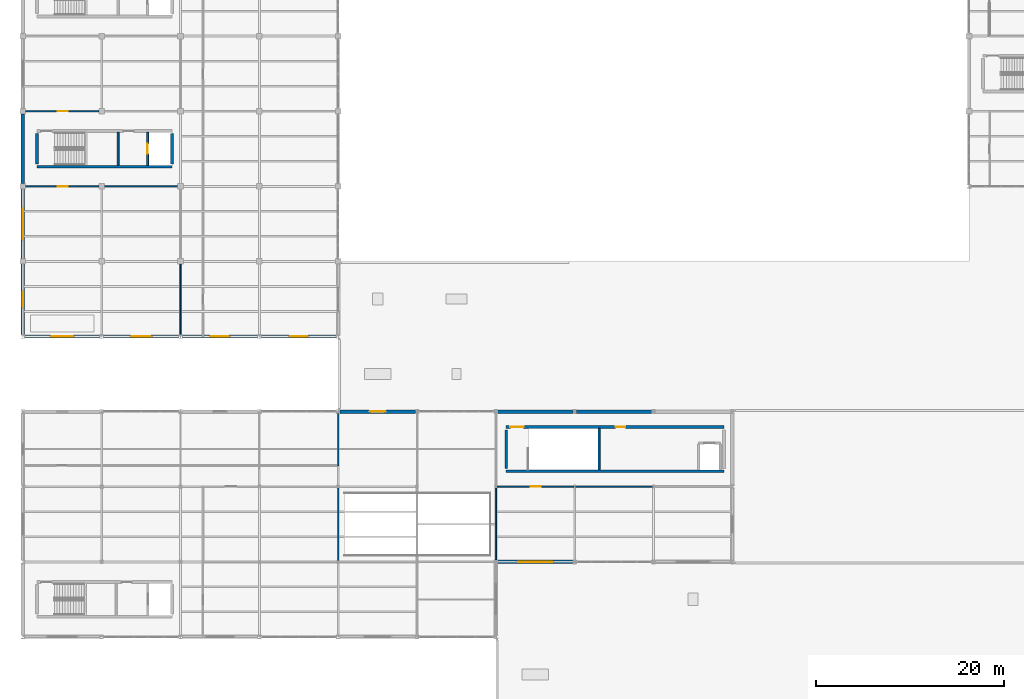
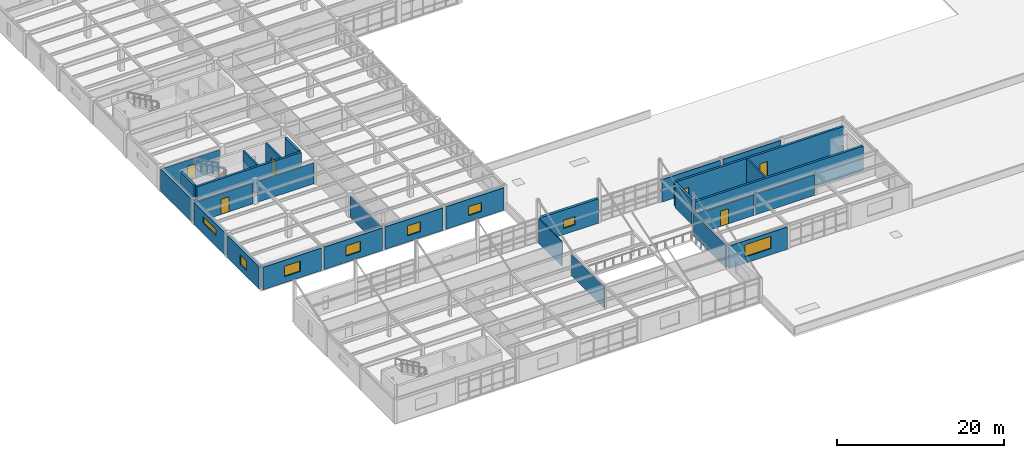
# One storey, part 46 of 96: 29 walls, 8 windows, 6 doors, 14 openings.
"""IFC4 building model written with IfcOpenShell, lengths in metres."""

from ifc_helpers import new_model, si_unit, direction, frame, frame_2d, origin, place, context, subcontext, project, spatial, rectangle, extrude, material, layer, layer_set, type_object, element, fill, save


model = new_model("IFC4")

# Units and contexts
model_context = context("Model", 3, precision=1e-05, world=origin(), true_north=direction((0.0, 1.0)))
body_context = subcontext(model_context, "Body", "Model", "MODEL_VIEW")
ifc_project = project(units=[si_unit("LENGTHUNIT", "METRE"), si_unit("AREAUNIT", "SQUARE_METRE"), si_unit("VOLUMEUNIT", "CUBIC_METRE"), si_unit("PLANEANGLEUNIT", "RADIAN"), si_unit("MASSUNIT", "GRAM", prefix="KILO")], contexts=[model_context])

# Site, building, storey
site_placement = place(None, origin())
site = spatial("IfcSite", under=ifc_project, at=site_placement, CompositionType="ELEMENT")
building_placement = place(site_placement, origin())
building = spatial("IfcBuilding", under=site, at=building_placement, Name="Kranzveld Transit Interchange", CompositionType="ELEMENT")
storey_placement = place(building_placement, frame((0.0, 0.0, 9.52001953125)))
storey = spatial("IfcBuildingStorey", under=building, at=storey_placement, Name="L02", CompositionType="ELEMENT", Elevation=9.52001953125)

# Wall, opening, door
ifc_material_1 = material(Name="Clay masonry unit wall, 20 MPa", Category="masonry")
ifc_layer_1 = layer(ifc_material_1, 0.139892578125)
ifc_layer_set_1 = layer_set([ifc_layer_1], Name="Clay masonry unit wall, 20 MPa")
wall_type_1 = type_object("IfcWallType", Name="Acoustic Stud Partition 140", PredefinedType="PARTITIONING", material=ifc_layer_set_1)
wall_1_placement = place(storey_placement, frame((50.519287109375, 32.0, 0.0), z_axis=(0.0, 0.0, 1.0), x_axis=(1.0, 0.0, 0.0)))
wall_1 = element("IfcWall", 1, at=wall_1_placement, inside=storey, type_object=wall_type_1, Name="L02 Partition IW-L02-L02BUSPAV-FRT-224-0", PredefinedType="PARTITIONING", context=body_context, shape_type="SweptSolid", body=[
    extrude(rectangle(XDim=8.161376953125, YDim=0.139892578125, at=frame_2d((4.08056640625, 0.0))), origin(), (0.0, 0.0, 1.0), 3.036865234375),
])
opening_1_placement = place(wall_1_placement, frame((4.6806640625, 0.0, 0.0), z_axis=(0.0, 0.0, 1.0), x_axis=(-1.0, 0.0, 0.0)))
opening_1 = element("IfcOpeningElement", 2, at=opening_1_placement, cuts=wall_1, Name="Opening D-224", PredefinedType="OPENING", context=body_context, shape_type="SweptSolid", body=[
    extrude(rectangle(XDim=1.10009765625, YDim=2.199951171875, at=frame_2d((0.550048828125, 1.10009765625))), frame((0.0, 0.079833984375, 0.0), z_axis=(0.0, -1.0, 0.0), x_axis=(1.0, 0.0, 0.0)), (0.0, 0.0, 1.0), 0.159912109375),
])
ifc_material_2 = material(Name="Bronze-anodised thermally broken aluminium", Category="aluminium")
door_type_1 = type_object("IfcDoorType", Name="Acoustic Seminar Door 1100x2200", OperationType="NOTDEFINED", PredefinedType="DOOR", material=ifc_material_2)
door_1_placement = place(opening_1_placement, origin())
door_1 = element("IfcDoor", 3, at=door_1_placement, inside=storey, type_object=door_type_1, Name="L02 Interior Door D-224", OperationType="SINGLE_SWING_LEFT", OverallHeight=2.199951171875, OverallWidth=1.10009765625, PredefinedType="DOOR", context=body_context, shape_type="SweptSolid", body=[
    extrude(rectangle(XDim=1.10009765625, YDim=2.199951171875, at=frame_2d((0.550048828125, 1.10009765625))), frame((0.0, 0.02490234375, 0.0), z_axis=(0.0, -1.0, 0.0), x_axis=(1.0, 0.0, 0.0)), (0.0, 0.0, 1.0), 0.050048828125),
])
fill(opening_1, door_1)

wall_2_placement = place(storey_placement, frame((0.2900390625, 64.0, 0.0), z_axis=(0.0, 0.0, 1.0), x_axis=(1.0, 0.0, 0.0)))
wall_2 = element("IfcWall", 4, at=wall_2_placement, inside=storey, type_object=wall_type_1, Name="L02 Partition IW-L02-L02V5S-FRT-213-0", PredefinedType="PARTITIONING", context=body_context, shape_type="SweptSolid", body=[
    extrude(rectangle(XDim=7.820068359375, YDim=0.139892578125, at=frame_2d((3.91015625, 0.0))), origin(), (0.0, 0.0, 1.0), 3.036865234375),
])
opening_2_placement = place(wall_2_placement, frame((4.510009765625, 0.0, 0.0), z_axis=(0.0, 0.0, 1.0), x_axis=(-1.0, 0.0, 0.0)))
opening_2 = element("IfcOpeningElement", 5, at=opening_2_placement, cuts=wall_2, Name="Opening D-213", PredefinedType="OPENING", context=body_context, shape_type="SweptSolid", body=[
    extrude(rectangle(XDim=1.10009765625, YDim=2.199951171875, at=frame_2d((0.550048828125, 1.10009765625))), frame((0.0, 0.079833984375, 0.0), z_axis=(0.0, -1.0, 0.0), x_axis=(1.0, 0.0, 0.0)), (0.0, 0.0, 1.0), 0.159912109375),
])
door_2_placement = place(opening_2_placement, origin())
door_2 = element("IfcDoor", 6, at=door_2_placement, inside=storey, type_object=door_type_1, Name="L02 Interior Door D-213", OperationType="SINGLE_SWING_LEFT", OverallHeight=2.199951171875, OverallWidth=1.10009765625, PredefinedType="DOOR", context=body_context, shape_type="SweptSolid", body=[
    extrude(rectangle(XDim=1.10009765625, YDim=2.199951171875, at=frame_2d((0.550048828125, 1.10009765625))), frame((0.0, 0.02490234375, 0.0), z_axis=(0.0, -1.0, 0.0), x_axis=(1.0, 0.0, 0.0)), (0.0, 0.0, 1.0), 0.050048828125),
])
fill(opening_2, door_2)

wall_3_placement = place(storey_placement, frame((0.2900390625, 72.0, 0.0), z_axis=(0.0, 0.0, 1.0), x_axis=(1.0, 0.0, 0.0)))
wall_3 = element("IfcWall", 7, at=wall_3_placement, inside=storey, type_object=wall_type_1, Name="L02 Partition IW-L02-L02V5M-FRT-226-0", PredefinedType="PARTITIONING", context=body_context, shape_type="SweptSolid", body=[
    extrude(rectangle(XDim=7.820068359375, YDim=0.139892578125, at=frame_2d((3.91015625, 0.0))), origin(), (0.0, 0.0, 1.0), 3.036865234375),
])
opening_3_placement = place(wall_3_placement, frame((3.409912109375, 0.0, 0.0), z_axis=(0.0, 0.0, 1.0), x_axis=(1.0, 0.0, 0.0)))
opening_3 = element("IfcOpeningElement", 8, at=opening_3_placement, cuts=wall_3, Name="Opening D-226", PredefinedType="OPENING", context=body_context, shape_type="SweptSolid", body=[
    extrude(rectangle(XDim=1.10009765625, YDim=2.199951171875, at=frame_2d((0.550048828125, 1.10009765625))), frame((0.0, 0.079833984375, 0.0), z_axis=(0.0, -1.0, 0.0), x_axis=(1.0, 0.0, 0.0)), (0.0, 0.0, 1.0), 0.159912109375),
])
door_3_placement = place(opening_3_placement, origin())
door_3 = element("IfcDoor", 9, at=door_3_placement, inside=storey, type_object=door_type_1, Name="L02 Interior Door D-226", OperationType="SINGLE_SWING_LEFT", OverallHeight=2.199951171875, OverallWidth=1.10009765625, PredefinedType="DOOR", context=body_context, shape_type="SweptSolid", body=[
    extrude(rectangle(XDim=1.10009765625, YDim=2.199951171875, at=frame_2d((0.550048828125, 1.10009765625))), frame((0.0, 0.02490234375, 0.0), z_axis=(0.0, -1.0, 0.0), x_axis=(1.0, 0.0, 0.0)), (0.0, 0.0, 1.0), 0.050048828125),
])
fill(opening_3, door_3)

# Walls
wall_4_placement = place(storey_placement, frame((58.91943359375, 32.0, 0.0), z_axis=(0.0, 0.0, 1.0), x_axis=(1.0, 0.0, 0.0)))
element("IfcWall", 10, at=wall_4_placement, inside=storey, type_object=wall_type_1, Name="L02 Partition IW-L02-L02BUSPAV-FRT-224-1", PredefinedType="PARTITIONING", context=body_context, shape_type="SweptSolid", body=[
    extrude(rectangle(XDim=8.1611328125, YDim=0.139892578125, at=frame_2d((4.08056640625, 0.0))), origin(), (0.0, 0.0, 1.0), 3.036865234375),
])
wall_5_placement = place(storey_placement, frame((50.39990234375, 24.17724609375, 0.0), z_axis=(0.0, 0.0, 1.0), x_axis=(0.0, 1.0, 0.0)))
element("IfcWall", 11, at=wall_5_placement, inside=storey, type_object=wall_type_1, Name="L02 Partition IW-L02-L02BUSPAV-W-224-0", PredefinedType="PARTITIONING", context=body_context, shape_type="SweptSolid", body=[
    extrude(rectangle(XDim=7.699462890625, YDim=0.139892578125, at=frame_2d((3.849609375, 0.0))), origin(), (0.0, 0.0, 1.0), 3.27001953125),
])
wall_6_placement = place(storey_placement, frame((33.60009765625, 24.123291015625, 0.0), z_axis=(0.0, 0.0, 1.0), x_axis=(0.0, 1.0, 0.0)))
element("IfcWall", 12, at=wall_6_placement, inside=storey, type_object=wall_type_1, Name="L02 Partition IW-L02-L02V3M-E-202-0", PredefinedType="PARTITIONING", context=body_context, shape_type="SweptSolid", body=[
    extrude(rectangle(XDim=7.75341796875, YDim=0.139892578125, at=frame_2d((3.876708984375, 0.0))), origin(), (0.0, 0.0, 1.0), 3.106689453125),
])
wall_7_placement = place(storey_placement, frame((8.68994140625, 64.0, 0.0), z_axis=(0.0, 0.0, 1.0), x_axis=(1.0, 0.0, 0.0)))
element("IfcWall", 13, at=wall_7_placement, inside=storey, type_object=wall_type_1, Name="L02 Partition IW-L02-L02V5S-FRT-213-1", PredefinedType="PARTITIONING", context=body_context, shape_type="SweptSolid", body=[
    extrude(rectangle(XDim=7.820068359375, YDim=0.139892578125, at=frame_2d((3.91015625, 0.0))), origin(), (0.0, 0.0, 1.0), 3.036865234375),
])
wall_8_placement = place(storey_placement, frame((16.800048828125, 48.17724609375, 0.0), z_axis=(0.0, 0.0, 1.0), x_axis=(0.0, 1.0, 0.0)))
element("IfcWall", 14, at=wall_8_placement, inside=storey, type_object=wall_type_1, Name="L02 Partition IW-L02-L02V5S-E-213-0", PredefinedType="PARTITIONING", context=body_context, shape_type="SweptSolid", body=[
    extrude(rectangle(XDim=7.53271484375, YDim=0.139892578125, at=frame_2d((3.766357421875, 0.0))), origin(), (0.0, 0.0, 1.0), 3.106689453125),
])
ifc_material_3 = material(Name="Concrete C40/50", Category="concrete")
ifc_layer_2 = layer(ifc_material_3, 0.300048828125)
ifc_layer_set_2 = layer_set([ifc_layer_2], Name="Concrete C40/50")
wall_type_2 = type_object("IfcWallType", Name="Core Shear Wall RC 300 C40/50", PredefinedType="SHEAR", material=ifc_layer_set_2)
wall_9_placement = place(storey_placement, frame((1.5, 66.090087890625, 0.0), z_axis=(0.0, 0.0, 1.0), x_axis=(1.0, 0.0, 0.0)))
element("IfcWall", 15, at=wall_9_placement, inside=storey, type_object=wall_type_2, Name="L02 Operations Core C1 Shear Wall S", PredefinedType="SHEAR", context=body_context, shape_type="SweptSolid", body=[
    extrude(rectangle(XDim=14.39990234375, YDim=0.300048828125, at=frame_2d((7.199951171875, 0.0))), origin(), (0.0, 0.0, 1.0), 3.570068359375),
])
for number, where, z_axis, x_axis, name in (
    (16, (1.5, 66.389892578125, 0.0), (0.0, 0.0, 1.0), (0.0, 1.0, 0.0), "L02 Operations Core C1 Shear Wall W"),
    (17, (15.89990234375, 66.389892578125, 0.0), (0.0, 0.0, 1.0), (0.0, 1.0, 0.0), "L02 Operations Core C1 Shear Wall E"),
):
    element("IfcWall", number, at=place(storey_placement, frame(where, z_axis=z_axis, x_axis=x_axis)), inside=storey, type_object=wall_type_2, Name=name, PredefinedType="SHEAR", context=body_context, shape_type="SweptSolid", body=[
        extrude(rectangle(XDim=3.22021484375, YDim=0.300048828125, at=frame_2d((1.610107421875, 0.0))), origin(), (0.0, 0.0, 1.0), 3.570068359375),
    ])
wall_10_placement = place(storey_placement, frame((51.5, 33.639892578125, 0.0), z_axis=(0.0, 0.0, 1.0), x_axis=(1.0, 0.0, 0.0)))
element("IfcWall", 18, at=wall_10_placement, inside=storey, type_object=wall_type_2, Name="L02 Metro East & Bus Mezzanine Core C6 Shear Wall S", PredefinedType="SHEAR", context=body_context, shape_type="SweptSolid", body=[
    extrude(rectangle(XDim=23.199951171875, YDim=0.300048828125, at=frame_2d((11.60009765625, 0.0))), origin(), (0.0, 0.0, 1.0), 3.570068359375),
])

# Wall, openings, doors
wall_11_placement = place(storey_placement, frame((51.5, 38.360107421875, 0.0), z_axis=(0.0, 0.0, 1.0), x_axis=(1.0, 0.0, 0.0)))
wall_11 = element("IfcWall", 19, at=wall_11_placement, inside=storey, type_object=wall_type_2, Name="L02 Metro East & Bus Mezzanine Core C6 Shear Wall N", PredefinedType="SHEAR", context=body_context, shape_type="SweptSolid", body=[
    extrude(rectangle(XDim=23.199951171875, YDim=0.300048828125, at=frame_2d((11.60009765625, 0.0))), origin(), (0.0, 0.0, 1.0), 3.570068359375),
])
opening_4_placement = place(wall_11_placement, frame((0.449951171875, 0.0, 0.0), z_axis=(0.0, 0.0, 1.0), x_axis=(1.0, 0.0, 0.0)))
opening_4 = element("IfcOpeningElement", 20, at=opening_4_placement, cuts=wall_11, Name="Opening D-ST-C6-L02", PredefinedType="OPENING", context=body_context, shape_type="SweptSolid", body=[
    extrude(rectangle(XDim=1.39990234375, YDim=2.14990234375, at=frame_2d((0.699951171875, 1.074951171875))), frame((0.0, 0.159912109375, 0.0), z_axis=(0.0, -1.0, 0.0), x_axis=(1.0, 0.0, 0.0)), (0.0, 0.0, 1.0), 0.320068359375),
])
opening_5_placement = place(wall_11_placement, frame((11.64990234375, 0.0, 0.0), z_axis=(0.0, 0.0, 1.0), x_axis=(1.0, 0.0, 0.0)))
opening_5 = element("IfcOpeningElement", 21, at=opening_5_placement, cuts=wall_11, Name="Opening D-LB-C6-L02", PredefinedType="OPENING", context=body_context, shape_type="SweptSolid", body=[
    extrude(rectangle(XDim=1.050048828125, YDim=2.14990234375, at=frame_2d((0.52490234375, 1.074951171875))), frame((0.0, 0.159912109375, 0.0), z_axis=(0.0, -1.0, 0.0), x_axis=(1.0, 0.0, 0.0)), (0.0, 0.0, 1.0), 0.320068359375),
])
ifc_material_4 = material(Name="Steel S355JR", Category="steel")
door_type_2 = type_object("IfcDoorType", Name="Lift Lobby Fire Door 1050x2150 FD120S", OperationType="NOTDEFINED", PredefinedType="DOOR", material=ifc_material_4)
door_4_placement = place(opening_5_placement, origin())
door_4 = element("IfcDoor", 22, at=door_4_placement, inside=storey, type_object=door_type_2, Name="L02 Metro East & Bus Mezzanine Core C6 Lift Protected Lobby Door", OperationType="SINGLE_SWING_RIGHT", OverallHeight=2.14990234375, OverallWidth=1.050048828125, PredefinedType="DOOR", context=body_context, shape_type="SweptSolid", body=[
    extrude(rectangle(XDim=1.050048828125, YDim=2.14990234375, at=frame_2d((0.52490234375, 1.074951171875))), frame((0.0, 0.02490234375, 0.0), z_axis=(0.0, -1.0, 0.0), x_axis=(1.0, 0.0, 0.0)), (0.0, 0.0, 1.0), 0.050048828125),
])
fill(opening_5, door_4)
ifc_material_5 = material(Name="Steel S355JR", Category="steel")
door_type_3 = type_object("IfcDoorType", Name="Metro Stair Double Fire Door 1400x2150 FD120S", OperationType="NOTDEFINED", PredefinedType="DOOR", material=ifc_material_5)
door_5_placement = place(opening_4_placement, origin())
door_5 = element("IfcDoor", 23, at=door_5_placement, inside=storey, type_object=door_type_3, Name="L02 ST-M2 Protected Stair Door", OperationType="DOUBLE_DOOR_SINGLE_SWING", OverallHeight=2.14990234375, OverallWidth=1.39990234375, PredefinedType="DOOR", context=body_context, shape_type="SweptSolid", body=[
    extrude(rectangle(XDim=1.39990234375, YDim=2.14990234375, at=frame_2d((0.699951171875, 1.074951171875))), frame((0.0, 0.02490234375, 0.0), z_axis=(0.0, -1.0, 0.0), x_axis=(1.0, 0.0, 0.0)), (0.0, 0.0, 1.0), 0.050048828125),
])
fill(opening_4, door_5)

# Wall
wall_12_placement = place(storey_placement, frame((51.5, 33.93994140625, 0.0), z_axis=(0.0, 0.0, 1.0), x_axis=(0.0, 1.0, 0.0)))
element("IfcWall", 24, at=wall_12_placement, inside=storey, type_object=wall_type_2, Name="L02 Metro East & Bus Mezzanine Core C6 Shear Wall W", PredefinedType="SHEAR", context=body_context, shape_type="SweptSolid", body=[
    extrude(rectangle(XDim=4.1201171875, YDim=0.300048828125, at=frame_2d((2.06005859375, 0.0))), origin(), (0.0, 0.0, 1.0), 3.570068359375),
])

# Wall, opening, window
ifc_material_6 = material(Name="Pretoria red-purple clinker clay face brick, 35 MPa", Category="masonry")
ifc_layer_3 = layer(ifc_material_6, 0.360107421875)
ifc_layer_set_3 = layer_set([ifc_layer_3], Name="Pretoria red-purple clinker clay face brick, 35 MPa")
wall_type_3 = type_object("IfcWallType", Name="Exterior Cavity Wall Red Clinker 360", PredefinedType="SOLIDWALL", material=ifc_layer_set_3)
wall_13_placement = place(storey_placement, frame((33.787353515625, 40.0, 0.0), z_axis=(0.0, 0.0, 1.0), x_axis=(1.0, 0.0, 0.0)))
wall_13 = element("IfcWall", 25, at=wall_13_placement, inside=storey, type_object=wall_type_3, Name="L02 Clinker Facade Wall 05/F-06/F", PredefinedType="SOLIDWALL", context=body_context, shape_type="SweptSolid", body=[
    extrude(rectangle(XDim=8.025390625, YDim=0.360107421875, at=frame_2d((4.0126953125, 0.0))), origin(), (0.0, 0.0, 1.0), 3.570068359375),
])
opening_6_placement = place(wall_13_placement, frame((3.212646484375, 0.0, 0.89990234375), z_axis=(0.0, 0.0, 1.0), x_axis=(1.0, 0.0, 0.0)))
opening_6 = element("IfcOpeningElement", 26, at=opening_6_placement, cuts=wall_13, Name="Opening W-20", PredefinedType="OPENING", context=body_context, shape_type="SweptSolid", body=[
    extrude(rectangle(XDim=1.60009765625, YDim=1.199951171875, at=frame_2d((0.800048828125, 0.60009765625))), frame((0.0, 0.18994140625, 0.0), z_axis=(0.0, -1.0, 0.0), x_axis=(1.0, 0.0, 0.0)), (0.0, 0.0, 1.0), 0.380126953125),
])
ifc_material_7 = material(Name="Solar-control double glazing", Category="glass")
window_type_1 = type_object("IfcWindowType", Name="Window Technical Glazed 1600x1200", PartitioningType="DOUBLE_PANEL_VERTICAL", PredefinedType="WINDOW", material=ifc_material_7)
window_1_placement = place(opening_6_placement, origin())
window_1 = element("IfcWindow", 27, at=window_1_placement, inside=storey, type_object=window_type_1, Name="L02 Facade Window 05/F", OverallHeight=1.199951171875, OverallWidth=1.60009765625, PartitioningType="DOUBLE_PANEL_VERTICAL", PredefinedType="WINDOW", context=body_context, shape_type="SweptSolid", body=[
    extrude(rectangle(XDim=1.60009765625, YDim=1.199951171875, at=frame_2d((0.800048828125, 0.60009765625))), frame((0.0, 0.030029296875, 0.0), z_axis=(0.0, -1.0, 0.0), x_axis=(1.0, 0.0, 0.0)), (0.0, 0.0, 1.0), 0.06005859375),
])
fill(opening_6, window_1)

# Walls
for number, where, z_axis, x_axis, name in (
    (28, (50.58740234375, 40.0, 0.0), (0.0, 0.0, 1.0), (1.0, 0.0, 0.0), "L02 Clinker Facade Wall 07/F-08/F"),
    (29, (58.9873046875, 40.0, 0.0), (0.0, 0.0, 1.0), (1.0, 0.0, 0.0), "L02 Clinker Facade Wall 08/F-09/F"),
):
    element("IfcWall", number, at=place(storey_placement, frame(where, z_axis=z_axis, x_axis=x_axis)), inside=storey, type_object=wall_type_3, Name=name, PredefinedType="SOLIDWALL", context=body_context, shape_type="SweptSolid", body=[
        extrude(rectangle(XDim=8.025390625, YDim=0.360107421875, at=frame_2d((4.0126953125, 0.0))), origin(), (0.0, 0.0, 1.0), 3.27001953125),
    ])

# Wall, opening, window
wall_14_placement = place(storey_placement, frame((50.58740234375, 24.0, 0.0), z_axis=(0.0, 0.0, 1.0), x_axis=(1.0, 0.0, 0.0)))
wall_14 = element("IfcWall", 30, at=wall_14_placement, inside=storey, type_object=wall_type_3, Name="L02 Clinker Facade Wall 07/D-08/D", PredefinedType="SOLIDWALL", context=body_context, shape_type="SweptSolid", body=[
    extrude(rectangle(XDim=8.025390625, YDim=0.360107421875, at=frame_2d((4.0126953125, 0.0))), origin(), (0.0, 0.0, 1.0), 3.27001953125),
])
opening_7_placement = place(wall_14_placement, frame((2.212646484375, 0.0, 0.89990234375), z_axis=(0.0, 0.0, 1.0), x_axis=(1.0, 0.0, 0.0)))
opening_7 = element("IfcOpeningElement", 31, at=opening_7_placement, cuts=wall_14, Name="Opening W-01", PredefinedType="OPENING", context=body_context, shape_type="SweptSolid", body=[
    extrude(rectangle(XDim=3.60009765625, YDim=1.800048828125, at=frame_2d((1.800048828125, 0.89990234375))), frame((0.0, 0.18994140625, 0.0), z_axis=(0.0, -1.0, 0.0), x_axis=(1.0, 0.0, 0.0)), (0.0, 0.0, 1.0), 0.380126953125),
])
ifc_material_8 = material(Name="Solar-control double glazing", Category="glass")
window_type_2 = type_object("IfcWindowType", Name="Window Ribbon Triple 3600x1800", PartitioningType="TRIPLE_PANEL_VERTICAL", PredefinedType="WINDOW", material=ifc_material_8)
window_2_placement = place(opening_7_placement, origin())
window_2 = element("IfcWindow", 32, at=window_2_placement, inside=storey, type_object=window_type_2, Name="L02 Facade Window 07/D", OverallHeight=1.800048828125, OverallWidth=3.60009765625, PartitioningType="TRIPLE_PANEL_VERTICAL", PredefinedType="WINDOW", context=body_context, shape_type="SweptSolid", body=[
    extrude(rectangle(XDim=3.60009765625, YDim=1.800048828125, at=frame_2d((1.800048828125, 0.89990234375))), frame((0.0, 0.030029296875, 0.0), z_axis=(0.0, -1.0, 0.0), x_axis=(1.0, 0.0, 0.0)), (0.0, 0.0, 1.0), 0.06005859375),
])
fill(opening_7, window_2)

wall_15_placement = place(storey_placement, frame((0.187255859375, 48.0, 0.0), z_axis=(0.0, 0.0, 1.0), x_axis=(1.0, 0.0, 0.0)))
wall_15 = element("IfcWall", 33, at=wall_15_placement, inside=storey, type_object=wall_type_3, Name="L02 Clinker Facade Wall 01/G-02/G", PredefinedType="SOLIDWALL", context=body_context, shape_type="SweptSolid", body=[
    extrude(rectangle(XDim=8.025390625, YDim=0.360107421875, at=frame_2d((4.0126953125, 0.0))), origin(), (0.0, 0.0, 1.0), 3.27001953125),
])
opening_8_placement = place(wall_15_placement, frame((2.91259765625, 0.0, 0.89990234375), z_axis=(0.0, 0.0, 1.0), x_axis=(1.0, 0.0, 0.0)))
opening_8 = element("IfcOpeningElement", 34, at=opening_8_placement, cuts=wall_15, Name="Opening W-09", PredefinedType="OPENING", context=body_context, shape_type="SweptSolid", body=[
    extrude(rectangle(XDim=2.199951171875, YDim=1.5, at=frame_2d((1.10009765625, 0.75))), frame((0.0, 0.18994140625, 0.0), z_axis=(0.0, -1.0, 0.0), x_axis=(1.0, 0.0, 0.0)), (0.0, 0.0, 1.0), 0.380126953125),
])
ifc_material_9 = material(Name="Solar-control double glazing", Category="glass")
window_type_3 = type_object("IfcWindowType", Name="Window Office Double 2200x1500", PartitioningType="DOUBLE_PANEL_VERTICAL", PredefinedType="WINDOW", material=ifc_material_9)
window_3_placement = place(opening_8_placement, origin())
window_3 = element("IfcWindow", 35, at=window_3_placement, inside=storey, type_object=window_type_3, Name="L02 Facade Window 01/G", OverallHeight=1.5, OverallWidth=2.199951171875, PartitioningType="DOUBLE_PANEL_VERTICAL", PredefinedType="WINDOW", context=body_context, shape_type="SweptSolid", body=[
    extrude(rectangle(XDim=2.199951171875, YDim=1.5, at=frame_2d((1.10009765625, 0.75))), frame((0.0, 0.030029296875, 0.0), z_axis=(0.0, -1.0, 0.0), x_axis=(1.0, 0.0, 0.0)), (0.0, 0.0, 1.0), 0.06005859375),
])
fill(opening_8, window_3)

wall_16_placement = place(storey_placement, frame((8.58740234375, 48.0, 0.0), z_axis=(0.0, 0.0, 1.0), x_axis=(1.0, 0.0, 0.0)))
wall_16 = element("IfcWall", 36, at=wall_16_placement, inside=storey, type_object=wall_type_3, Name="L02 Clinker Facade Wall 02/G-03/G", PredefinedType="SOLIDWALL", context=body_context, shape_type="SweptSolid", body=[
    extrude(rectangle(XDim=8.025390625, YDim=0.360107421875, at=frame_2d((4.0126953125, 0.0))), origin(), (0.0, 0.0, 1.0), 3.27001953125),
])
opening_9_placement = place(wall_16_placement, frame((3.0126953125, 0.0, 0.89990234375), z_axis=(0.0, 0.0, 1.0), x_axis=(1.0, 0.0, 0.0)))
opening_9 = element("IfcOpeningElement", 37, at=opening_9_placement, cuts=wall_16, Name="Opening W-10", PredefinedType="OPENING", context=body_context, shape_type="SweptSolid", body=[
    extrude(rectangle(XDim=2.0, YDim=1.5, at=frame_2d((1.0, 0.75))), frame((0.0, 0.18994140625, 0.0), z_axis=(0.0, -1.0, 0.0), x_axis=(1.0, 0.0, 0.0)), (0.0, 0.0, 1.0), 0.380126953125),
])
ifc_material_10 = material(Name="Solar-control double glazing", Category="glass")
window_type_4 = type_object("IfcWindowType", Name="Window Office Double 2000x1500", PartitioningType="DOUBLE_PANEL_VERTICAL", PredefinedType="WINDOW", material=ifc_material_10)
window_4_placement = place(opening_9_placement, origin())
window_4 = element("IfcWindow", 38, at=window_4_placement, inside=storey, type_object=window_type_4, Name="L02 Facade Window 02/G", OverallHeight=1.5, OverallWidth=2.0, PartitioningType="DOUBLE_PANEL_VERTICAL", PredefinedType="WINDOW", context=body_context, shape_type="SweptSolid", body=[
    extrude(rectangle(XDim=2.0, YDim=1.5, at=frame_2d((1.0, 0.75))), frame((0.0, 0.030029296875, 0.0), z_axis=(0.0, -1.0, 0.0), x_axis=(1.0, 0.0, 0.0)), (0.0, 0.0, 1.0), 0.06005859375),
])
fill(opening_9, window_4)

wall_17_placement = place(storey_placement, frame((16.9873046875, 48.0, 0.0), z_axis=(0.0, 0.0, 1.0), x_axis=(1.0, 0.0, 0.0)))
wall_17 = element("IfcWall", 39, at=wall_17_placement, inside=storey, type_object=wall_type_3, Name="L02 Clinker Facade Wall 03/G-04/G", PredefinedType="SOLIDWALL", context=body_context, shape_type="SweptSolid", body=[
    extrude(rectangle(XDim=8.025390625, YDim=0.360107421875, at=frame_2d((4.0126953125, 0.0))), origin(), (0.0, 0.0, 1.0), 3.27001953125),
])
opening_10_placement = place(wall_17_placement, frame((3.11279296875, 0.0, 0.89990234375), z_axis=(0.0, 0.0, 1.0), x_axis=(1.0, 0.0, 0.0)))
opening_10 = element("IfcOpeningElement", 40, at=opening_10_placement, cuts=wall_17, Name="Opening W-11", PredefinedType="OPENING", context=body_context, shape_type="SweptSolid", body=[
    extrude(rectangle(XDim=1.800048828125, YDim=1.449951171875, at=frame_2d((0.89990234375, 0.72509765625))), frame((0.0, 0.18994140625, 0.0), z_axis=(0.0, -1.0, 0.0), x_axis=(1.0, 0.0, 0.0)), (0.0, 0.0, 1.0), 0.380126953125),
])
ifc_material_11 = material(Name="Solar-control double glazing", Category="glass")
window_type_5 = type_object("IfcWindowType", Name="Window Office Double 1800x1450", PartitioningType="DOUBLE_PANEL_VERTICAL", PredefinedType="WINDOW", material=ifc_material_11)
window_5_placement = place(opening_10_placement, origin())
window_5 = element("IfcWindow", 41, at=window_5_placement, inside=storey, type_object=window_type_5, Name="L02 Facade Window 03/G", OverallHeight=1.449951171875, OverallWidth=1.800048828125, PartitioningType="DOUBLE_PANEL_VERTICAL", PredefinedType="WINDOW", context=body_context, shape_type="SweptSolid", body=[
    extrude(rectangle(XDim=1.800048828125, YDim=1.449951171875, at=frame_2d((0.89990234375, 0.72509765625))), frame((0.0, 0.030029296875, 0.0), z_axis=(0.0, -1.0, 0.0), x_axis=(1.0, 0.0, 0.0)), (0.0, 0.0, 1.0), 0.06005859375),
])
fill(opening_10, window_5)

wall_18_placement = place(storey_placement, frame((25.38720703125, 48.0, 0.0), z_axis=(0.0, 0.0, 1.0), x_axis=(1.0, 0.0, 0.0)))
wall_18 = element("IfcWall", 42, at=wall_18_placement, inside=storey, type_object=wall_type_3, Name="L02 Clinker Facade Wall 04/G-05/G", PredefinedType="SOLIDWALL", context=body_context, shape_type="SweptSolid", body=[
    extrude(rectangle(XDim=8.025390625, YDim=0.360107421875, at=frame_2d((4.0126953125, 0.0))), origin(), (0.0, 0.0, 1.0), 3.27001953125),
])
opening_11_placement = place(wall_18_placement, frame((3.11279296875, 0.0, 0.89990234375), z_axis=(0.0, 0.0, 1.0), x_axis=(1.0, 0.0, 0.0)))
opening_11 = element("IfcOpeningElement", 43, at=opening_11_placement, cuts=wall_18, Name="Opening W-12", PredefinedType="OPENING", context=body_context, shape_type="SweptSolid", body=[
    extrude(rectangle(XDim=1.800048828125, YDim=1.300048828125, at=frame_2d((0.89990234375, 0.64990234375))), frame((0.0, 0.18994140625, 0.0), z_axis=(0.0, -1.0, 0.0), x_axis=(1.0, 0.0, 0.0)), (0.0, 0.0, 1.0), 0.380126953125),
])
ifc_material_12 = material(Name="Solar-control double glazing", Category="glass")
window_type_6 = type_object("IfcWindowType", Name="Window Studio Double 1800x1300", PartitioningType="DOUBLE_PANEL_VERTICAL", PredefinedType="WINDOW", material=ifc_material_12)
window_6_placement = place(opening_11_placement, origin())
window_6 = element("IfcWindow", 44, at=window_6_placement, inside=storey, type_object=window_type_6, Name="L02 Facade Window 04/G", OverallHeight=1.300048828125, OverallWidth=1.800048828125, PartitioningType="DOUBLE_PANEL_VERTICAL", PredefinedType="WINDOW", context=body_context, shape_type="SweptSolid", body=[
    extrude(rectangle(XDim=1.800048828125, YDim=1.300048828125, at=frame_2d((0.89990234375, 0.64990234375))), frame((0.0, 0.030029296875, 0.0), z_axis=(0.0, -1.0, 0.0), x_axis=(1.0, 0.0, 0.0)), (0.0, 0.0, 1.0), 0.06005859375),
])
fill(opening_11, window_6)

wall_19_placement = place(storey_placement, frame((0.0, 48.187255859375, 0.0), z_axis=(0.0, 0.0, 1.0), x_axis=(0.0, 1.0, 0.0)))
wall_19 = element("IfcWall", 45, at=wall_19_placement, inside=storey, type_object=wall_type_3, Name="L02 Clinker Facade Wall 01/G-01/H", PredefinedType="SOLIDWALL", context=body_context, shape_type="SweptSolid", body=[
    extrude(rectangle(XDim=7.5126953125, YDim=0.360107421875, at=frame_2d((3.75634765625, 0.0))), origin(), (0.0, 0.0, 1.0), 3.218505859375),
])
opening_12_placement = place(wall_19_placement, frame((3.00634765625, 0.0, 0.89990234375), z_axis=(0.0, 0.0, 1.0), x_axis=(1.0, 0.0, 0.0)))
opening_12 = element("IfcOpeningElement", 46, at=opening_12_placement, cuts=wall_19, Name="Opening W-13", PredefinedType="OPENING", context=body_context, shape_type="SweptSolid", body=[
    extrude(rectangle(XDim=1.5, YDim=1.39990234375, at=frame_2d((0.75, 0.699951171875))), frame((0.0, 0.18994140625, 0.0), z_axis=(0.0, -1.0, 0.0), x_axis=(1.0, 0.0, 0.0)), (0.0, 0.0, 1.0), 0.380126953125),
])
ifc_material_13 = material(Name="Solar-control double glazing", Category="glass")
window_type_7 = type_object("IfcWindowType", Name="Window Studio Single 1500x1400", PartitioningType="SINGLE_PANEL", PredefinedType="WINDOW", material=ifc_material_13)
window_7_placement = place(opening_12_placement, origin())
window_7 = element("IfcWindow", 47, at=window_7_placement, inside=storey, type_object=window_type_7, Name="L02 Facade Window 01/G", OverallHeight=1.39990234375, OverallWidth=1.5, PartitioningType="SINGLE_PANEL", PredefinedType="WINDOW", context=body_context, shape_type="SweptSolid", body=[
    extrude(rectangle(XDim=1.5, YDim=1.39990234375, at=frame_2d((0.75, 0.699951171875))), frame((0.0, 0.030029296875, 0.0), z_axis=(0.0, -1.0, 0.0), x_axis=(1.0, 0.0, 0.0)), (0.0, 0.0, 1.0), 0.06005859375),
])
fill(opening_12, window_7)

wall_20_placement = place(storey_placement, frame((0.0, 56.300048828125, 0.0), z_axis=(0.0, 0.0, 1.0), x_axis=(0.0, 1.0, 0.0)))
wall_20 = element("IfcWall", 48, at=wall_20_placement, inside=storey, type_object=wall_type_3, Name="L02 Clinker Facade Wall 01/H-01/J", PredefinedType="SOLIDWALL", context=body_context, shape_type="SweptSolid", body=[
    extrude(rectangle(XDim=7.39990234375, YDim=0.360107421875, at=frame_2d((3.699951171875, 0.0))), origin(), (0.0, 0.0, 1.0), 3.218505859375),
])
opening_13_placement = place(wall_20_placement, frame((2.10009765625, 0.0, 1.550048828125), z_axis=(0.0, 0.0, 1.0), x_axis=(1.0, 0.0, 0.0)))
opening_13 = element("IfcOpeningElement", 49, at=opening_13_placement, cuts=wall_20, Name="Opening W-14", PredefinedType="OPENING", context=body_context, shape_type="SweptSolid", body=[
    extrude(rectangle(XDim=3.199951171875, YDim=0.89990234375, at=frame_2d((1.60009765625, 0.449951171875))), frame((0.0, 0.18994140625, 0.0), z_axis=(0.0, -1.0, 0.0), x_axis=(1.0, 0.0, 0.0)), (0.0, 0.0, 1.0), 0.380126953125),
])
ifc_material_14 = material(Name="Solar-control double glazing", Category="glass")
window_type_8 = type_object("IfcWindowType", Name="Window Clerestory 3200x900", PartitioningType="TRIPLE_PANEL_HORIZONTAL", PredefinedType="WINDOW", material=ifc_material_14)
window_8_placement = place(opening_13_placement, origin())
window_8 = element("IfcWindow", 50, at=window_8_placement, inside=storey, type_object=window_type_8, Name="L02 Facade Window 01/H", OverallHeight=0.89990234375, OverallWidth=3.199951171875, PartitioningType="TRIPLE_PANEL_HORIZONTAL", PredefinedType="WINDOW", context=body_context, shape_type="SweptSolid", body=[
    extrude(rectangle(XDim=3.199951171875, YDim=0.89990234375, at=frame_2d((1.60009765625, 0.449951171875))), frame((0.0, 0.030029296875, 0.0), z_axis=(0.0, -1.0, 0.0), x_axis=(1.0, 0.0, 0.0)), (0.0, 0.0, 1.0), 0.06005859375),
])
fill(opening_13, window_8)

# Walls
wall_21_placement = place(storey_placement, frame((0.0, 64.300048828125, 0.0), z_axis=(0.0, 0.0, 1.0), x_axis=(0.0, 1.0, 0.0)))
element("IfcWall", 51, at=wall_21_placement, inside=storey, type_object=wall_type_3, Name="L02 Clinker Facade Wall 01/J-01/K", PredefinedType="SOLIDWALL", context=body_context, shape_type="SweptSolid", body=[
    extrude(rectangle(XDim=7.39990234375, YDim=0.360107421875, at=frame_2d((3.699951171875, 0.0))), origin(), (0.0, 0.0, 1.0), 3.27001953125),
])
ifc_material_15 = material(Name="Clay masonry unit wall, 20 MPa", Category="masonry")
ifc_layer_4 = layer(ifc_material_15, 0.125)
ifc_layer_set_4 = layer_set([ifc_layer_4], Name="Clay masonry unit wall, 20 MPa")
wall_type_4 = type_object("IfcWallType", Name="Internal Blockwork Partition 125", PredefinedType="PARTITIONING", material=ifc_layer_set_4)
wall_22_placement = place(storey_placement, frame((33.60009765625, 34.25, 0.0), z_axis=(0.0, 0.0, 1.0), x_axis=(0.0, 1.0, 0.0)))
element("IfcWall", 52, at=wall_22_placement, inside=storey, type_object=wall_type_4, Name="L02 Partition IW-L02-L02V3N-E-201-0", PredefinedType="PARTITIONING", context=body_context, shape_type="SweptSolid", body=[
    extrude(rectangle(XDim=5.57275390625, YDim=0.125, at=frame_2d((2.786376953125, 0.0))), origin(), (0.0, 0.0, 1.0), 3.570068359375),
])
ifc_material_16 = material(Name="Concrete C40/50", Category="concrete")
ifc_layer_5 = layer(ifc_material_16, 0.199951171875)
ifc_layer_set_5 = layer_set([ifc_layer_5], Name="Concrete C40/50")
wall_type_5 = type_object("IfcWallType", Name="Lift Shaft Enclosure Wall RC 200 EI120", PredefinedType="SHEAR", material=ifc_layer_set_5)
wall_23_placement = place(storey_placement, frame((10.14990234375, 66.239990234375, 0.0), z_axis=(0.0, 0.0, 1.0), x_axis=(0.0, 1.0, 0.0)))
element("IfcWall", 53, at=wall_23_placement, inside=storey, type_object=wall_type_5, Name="L02 Operations Core C1 Stair-Lobby Dividing Wall", PredefinedType="SHEAR", context=body_context, shape_type="SweptSolid", body=[
    extrude(rectangle(XDim=3.52001953125, YDim=0.199951171875, at=frame_2d((1.760009765625, 0.0))), origin(), (0.0, 0.0, 1.0), 3.570068359375),
])

# Wall, opening, door
wall_24_placement = place(storey_placement, frame((13.300048828125, 66.239990234375, 0.0), z_axis=(0.0, 0.0, 1.0), x_axis=(0.0, 1.0, 0.0)))
wall_24 = element("IfcWall", 54, at=wall_24_placement, inside=storey, type_object=wall_type_5, Name="L02 LF-C1 Shaft Front Wall", PredefinedType="SHEAR", context=body_context, shape_type="SweptSolid", body=[
    extrude(rectangle(XDim=3.52001953125, YDim=0.199951171875, at=frame_2d((1.760009765625, 0.0))), origin(), (0.0, 0.0, 1.0), 3.570068359375),
])
opening_14_placement = place(wall_24_placement, frame((1.2099609375, 0.0, 0.0), z_axis=(0.0, 0.0, 1.0), x_axis=(1.0, 0.0, 0.0)))
opening_14 = element("IfcOpeningElement", 55, at=opening_14_placement, cuts=wall_24, Name="Opening LD-LF-C1-L02", PredefinedType="OPENING", context=body_context, shape_type="SweptSolid", body=[
    extrude(rectangle(XDim=1.10009765625, YDim=2.14990234375, at=frame_2d((0.550048828125, 1.074951171875))), frame((0.0, 0.10986328125, 0.0), z_axis=(0.0, -1.0, 0.0), x_axis=(1.0, 0.0, 0.0)), (0.0, 0.0, 1.0), 0.219970703125),
])
ifc_material_17 = material(Name="Steel S355JR", Category="steel")
door_type_4 = type_object("IfcDoorType", Name="Lift Landing Sliding Door 1100x2150 FD120S", OperationType="NOTDEFINED", PredefinedType="DOOR", material=ifc_material_17)
door_6_placement = place(opening_14_placement, origin())
door_6 = element("IfcDoor", 56, at=door_6_placement, inside=storey, type_object=door_type_4, Name="L02 LF-C1 Sliding Landing Door", OperationType="DOUBLE_DOOR_SLIDING", OverallHeight=2.14990234375, OverallWidth=1.10009765625, PredefinedType="DOOR", context=body_context, shape_type="SweptSolid", body=[
    extrude(rectangle(XDim=1.10009765625, YDim=2.14990234375, at=frame_2d((0.550048828125, 1.074951171875))), frame((0.0, 0.02490234375, 0.0), z_axis=(0.0, -1.0, 0.0), x_axis=(1.0, 0.0, 0.0)), (0.0, 0.0, 1.0), 0.050048828125),
])
fill(opening_14, door_6)

# Wall
wall_25_placement = place(storey_placement, frame((61.39990234375, 33.7900390625, 0.0), z_axis=(0.0, 0.0, 1.0), x_axis=(0.0, 1.0, 0.0)))
element("IfcWall", 57, at=wall_25_placement, inside=storey, type_object=wall_type_5, Name="L02 Metro East & Bus Mezzanine Core C6 Stair-Lobby Dividing Wall", PredefinedType="SHEAR", context=body_context, shape_type="SweptSolid", body=[
    extrude(rectangle(XDim=4.419921875, YDim=0.199951171875, at=frame_2d((2.2099609375, 0.0))), origin(), (0.0, 0.0, 1.0), 3.570068359375),
])

save(model, "model.ifc")
